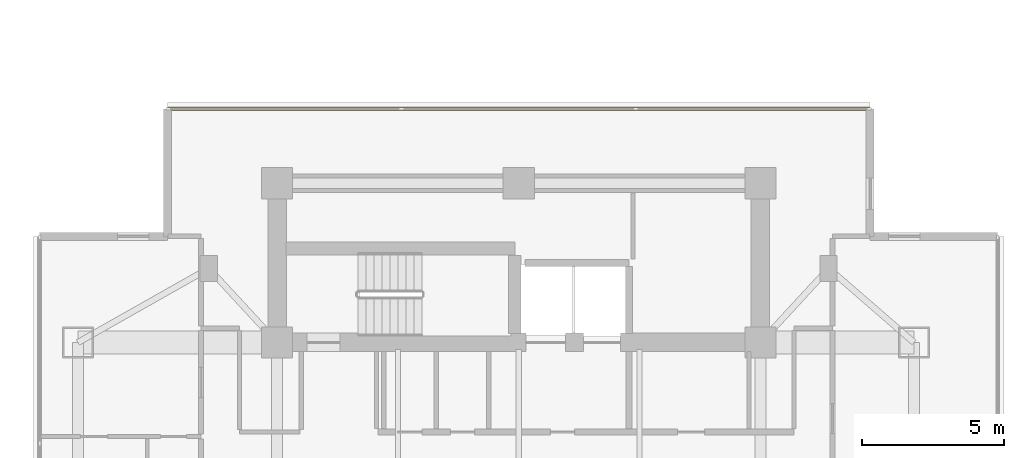
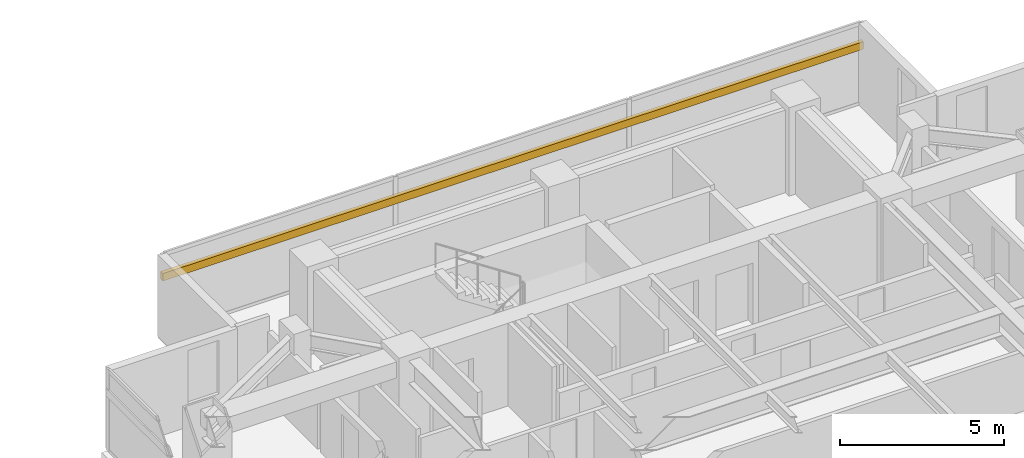
# One storey, part 24 of 24: 1 shading device.
"""IFC4 building model written with IfcOpenShell, lengths in metres."""

from ifc_helpers import new_model, si_unit, direction, frame, origin, origin_2d, place, context, subcontext, project, spatial, rectangle, extrude, material, material_profile, profile_set, type_object, element, save


model = new_model("IFC4")

# Units and contexts
model_context = context("Model", 3, precision=1e-05, world=origin(), true_north=direction((0.0, 1.0)))
body_context = subcontext(model_context, "Body", "Model", "MODEL_VIEW")
ifc_project = project(units=[si_unit("LENGTHUNIT", "METRE"), si_unit("AREAUNIT", "SQUARE_METRE"), si_unit("VOLUMEUNIT", "CUBIC_METRE"), si_unit("PLANEANGLEUNIT", "RADIAN"), si_unit("MASSUNIT", "GRAM", prefix="KILO")], contexts=[model_context])

# Site, building, storey
site_placement = place(None, origin())
site = spatial("IfcSite", under=ifc_project, at=site_placement, CompositionType="ELEMENT")
building_placement = place(site_placement, origin())
building = spatial("IfcBuilding", under=site, at=building_placement, Name="Mirazonda Arch Towers", CompositionType="ELEMENT")
storey_placement = place(building_placement, frame((0.0, 0.0, 118.10009765625)))
storey = spatial("IfcBuildingStorey", under=building, at=storey_placement, Name="L33", CompositionType="ELEMENT", Elevation=118.10009765625)

# Shading device
ifc_material = material(Name="Kiln-Fired Architectural Terracotta", Category="masonry")
ifc_material_profile = material_profile(ifc_material, rectangle(XDim=0.139892578125, YDim=0.280029296875, at=origin_2d()), Name="TERRA-BAG-140x280")
ifc_profile_set = profile_set([ifc_material_profile], Name="Kiln-Fired Architectural Terracotta")
shading_device_type = type_object("IfcShadingDeviceType", Name="BAGUETTE-3", PredefinedType="USERDEFINED", material=ifc_profile_set)
shading_device_placement = place(storey_placement, frame((64.1416015625, 43.4189453125, 2.203125), z_axis=(1.0, 0.0, 0.0), x_axis=(0.0, 1.0, 0.0)))
element("IfcShadingDevice", 1, at=shading_device_placement, inside=storey, type_object=shading_device_type, Name="L33 Glazed Terracotta Sun-Screen Baguette CW-L33-T2-N", ObjectType="BAGUETTE", PredefinedType="USERDEFINED", context=body_context, shape_type="SweptSolid", body=[
    extrude(rectangle(XDim=0.139892578125, YDim=0.280029296875, at=origin_2d()), origin(), (0.0, 0.0, 1.0), 24.716796875),
])

save(model, "model.ifc")
